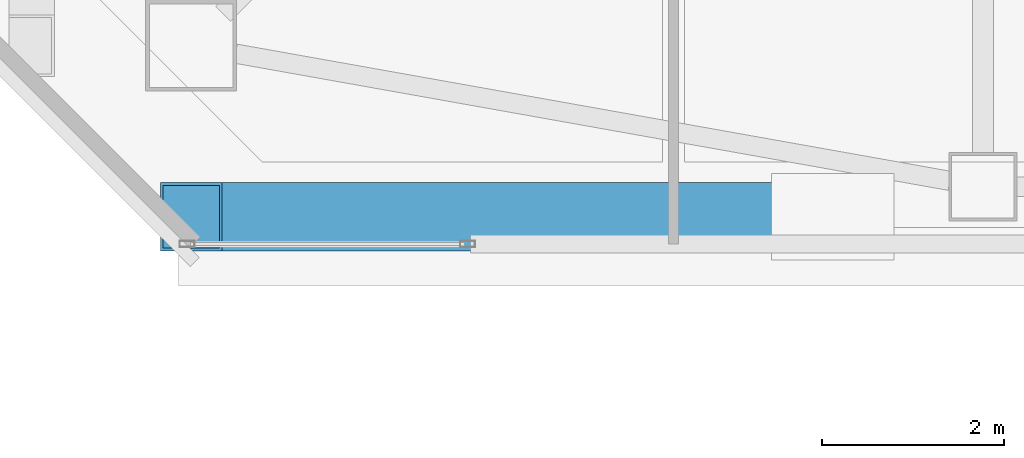
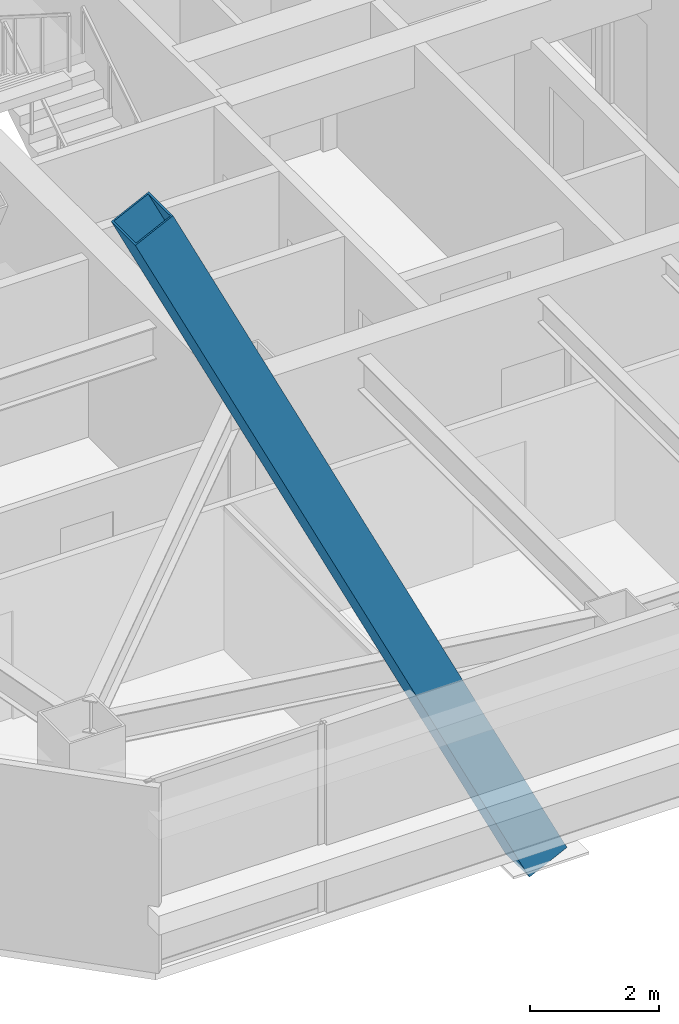
# One storey, part 4 of 56: 1 member.
"""IFC4 building model written with IfcOpenShell, lengths in metres."""

import ifcopenshell
import ifcopenshell.guid

model = None  # the IFC model being written
_history = None  # IfcOwnerHistory: only IFC2X3 demands one
_inside = {}  # id of a spatial element -> (the spatial element, [elements in it])
_under = {}  # id of a project, library or spatial element -> (it, [spatial elements below it])
_declared = {}  # id of a project -> (the project, [libraries it declares])
_typed = {}  # id of a type object -> (the type object, [elements of that type])
_made_of = {}  # id of a material, layer set ... -> (it, [elements and type objects made of it])


def new_model(schema):
    """Start an empty IFC model of exactly this schema.

    Asked for "IFC4X3", IfcOpenShell would pick the latest addendum, in which some entities
    have other attributes; the version numbers below select the first issue.
    IFC2X3 requires an IfcOwnerHistory on every rooted entity: one is made here for all.
    """
    global model, _history
    if schema == "IFC4X3":
        model = ifcopenshell.file(schema_version=(4, 3, 0, 0))
    else:
        model = ifcopenshell.file(schema=schema)
    _inside.clear()
    _under.clear()
    _declared.clear()
    _typed.clear()
    _made_of.clear()
    _history = None
    if model.schema == "IFC2X3":
        org = make("IfcOrganization", Name="unknown")
        user = make(
            "IfcPersonAndOrganization",
            ThePerson=make("IfcPerson", FamilyName="unknown"),
            TheOrganization=org,
        )
        app = make(
            "IfcApplication",
            ApplicationDeveloper=org,
            Version="unknown",
            ApplicationFullName="unknown",
            ApplicationIdentifier="unknown",
        )
        _history = make(
            "IfcOwnerHistory",
            OwningUser=user,
            OwningApplication=app,
            ChangeAction="ADDED",
            CreationDate=0,
        )
    return model


def make(cls, **values):
    """One entity of the class cls with the attributes given. An attribute that is None is left unset."""
    return model.create_entity(
        cls, **{name: value for name, value in values.items() if value is not None}
    )


def rooted(cls, **values):
    """An entity with a GlobalId (a new one), such as an element, a storey or a relation."""
    return make(cls, GlobalId=ifcopenshell.guid.new(), OwnerHistory=_history, **values)


def si_unit(unit_type, name, prefix=None):
    """IfcSIUnit, for example si_unit("LENGTHUNIT", "METRE", prefix="MILLI")."""
    return make("IfcSIUnit", UnitType=unit_type, Prefix=prefix, Name=name)


def assignment(units):
    """IfcUnitAssignment: the units of a project."""
    return None if units is None else make("IfcUnitAssignment", Units=units)


def point(xyz):
    """IfcCartesianPoint."""
    return None if xyz is None else make("IfcCartesianPoint", Coordinates=xyz)


def direction(xyz):
    """IfcDirection."""
    return None if xyz is None else make("IfcDirection", DirectionRatios=xyz)


def frame(location, z_axis=None, x_axis=None):
    """IfcAxis2Placement3D, a coordinate frame: its origin and axes. An axis left out is left unset."""
    return make(
        "IfcAxis2Placement3D",
        Location=point(location),
        Axis=direction(z_axis),
        RefDirection=direction(x_axis),
    )


def frame_2d(location, x_axis=None):
    """IfcAxis2Placement2D, a coordinate frame in the plane: its origin and x axis."""
    return make(
        "IfcAxis2Placement2D", Location=point(location), RefDirection=direction(x_axis)
    )


def origin():
    """The frame at (0, 0, 0) with its axes left unset."""
    return frame((0.0, 0.0, 0.0))


def origin_2d():
    """The frame at (0, 0) in the plane with its x axis left unset."""
    return frame_2d((0.0, 0.0))


def place(relative_to, where):
    """IfcLocalPlacement: puts the frame where relative to a parent placement (None: the world)."""
    return make(
        "IfcLocalPlacement", PlacementRelTo=relative_to, RelativePlacement=where
    )


def context(
    kind, dimensions, precision=None, world=None, true_north=None, identifier=None
):
    """IfcGeometricRepresentationContext, for example the 3D "Model" context."""
    return make(
        "IfcGeometricRepresentationContext",
        ContextIdentifier=identifier,
        ContextType=kind,
        CoordinateSpaceDimension=dimensions,
        Precision=precision,
        WorldCoordinateSystem=world,
        TrueNorth=true_north,
    )


def subcontext(parent, identifier, kind, view, scale=None):
    """IfcGeometricRepresentationSubContext, for example "Body" below "Model"."""
    return make(
        "IfcGeometricRepresentationSubContext",
        ContextIdentifier=identifier,
        ContextType=kind,
        ParentContext=parent,
        TargetScale=scale,
        TargetView=view,
    )


def project(units=None, contexts=None):
    """IfcProject with its units and contexts."""
    return rooted(
        "IfcProject",
        Name="project",
        RepresentationContexts=contexts,
        UnitsInContext=assignment(units),
    )


def spatial(cls, under=None, at=None, **own):
    """A site, building, storey or space (cls), placed at a placement, below another one or the project."""
    s = rooted(cls, ObjectPlacement=at, **own)
    if under is not None:
        _under.setdefault(under.id(), (under, []))[1].append(s)
    return s


def profile(cls, at=None, kind="AREA", **sizes):
    """A parametric profile (cls). Its sizes go by their IFC names, for example OverallWidth=200.0."""
    return make(cls, ProfileType=kind, Position=at, **sizes)


def hollow_rectangle(**sizes):
    """IfcRectangleHollowProfileDef."""
    return profile("IfcRectangleHollowProfileDef", **sizes)


def extrude(swept, where, along, depth):
    """IfcExtrudedAreaSolid: the profile swept, set in the frame where, extruded along a direction by depth."""
    return make(
        "IfcExtrudedAreaSolid",
        SweptArea=swept,
        Position=where,
        ExtrudedDirection=direction(along),
        Depth=depth,
    )


def shape(context_of_items, identifier, shape_type, items):
    """IfcShapeRepresentation: the items that make up one representation, for example the "Body"."""
    return make(
        "IfcShapeRepresentation",
        ContextOfItems=context_of_items,
        RepresentationIdentifier=identifier,
        RepresentationType=shape_type,
        Items=items,
    )


def material(Name=None, Category=None):
    """IfcMaterial."""
    return make("IfcMaterial", Name=Name, Category=Category)


def material_profile(
    of_material, cross_section, Name=None, Category=None, Priority=None
):
    """IfcMaterialProfile: a cross section and its material."""
    return make(
        "IfcMaterialProfile",
        Name=Name,
        Material=of_material,
        Profile=cross_section,
        Priority=Priority,
        Category=Category,
    )


def profile_set(profiles, Name=None, composite=None):
    """IfcMaterialProfileSet."""
    return make(
        "IfcMaterialProfileSet",
        Name=Name,
        MaterialProfiles=profiles,
        CompositeProfile=composite,
    )


def made_of(thing, what):
    """Note that an element or type object is made of a material, layer set ...; save() writes the relation."""
    if what is not None:
        _made_of.setdefault(what.id(), (what, []))[1].append(thing)
    return thing


def type_object(cls, material=None, **own):
    """A type object (cls), such as IfcWallType, which elements share."""
    return made_of(rooted(cls, **own), material)


def element(
    cls,
    number,
    at=None,
    inside=None,
    cuts=None,
    type_object=None,
    material=None,
    context=None,
    identifier="Body",
    shape_type=None,
    held_by="IfcProductDefinitionShape",
    body=None,
    shapes=None,
    **own,
):
    """One element of the class cls, such as IfcWall. Its Tag is "e" and its number.

    at: its placement. inside: the storey or other place that contains it. cuts: it is an
    opening in that element (IfcRelVoidsElement). A single representation is given by context,
    identifier, shape_type and body (its items); several are given by shapes. held_by: the class
    of the entity that holds the representations. save() writes the other relations.
    """
    e = rooted(cls, Tag="e%d" % number, ObjectPlacement=at, **own)
    if body is not None:
        shapes = [shape(context, identifier, shape_type, body)]
    if shapes is not None:
        e.Representation = make(held_by, Representations=shapes)
    if inside is not None:
        _inside.setdefault(inside.id(), (inside, []))[1].append(e)
    if cuts is not None:
        rooted(
            "IfcRelVoidsElement", RelatingBuildingElement=cuts, RelatedOpeningElement=e
        )
    if type_object is not None:
        _typed.setdefault(type_object.id(), (type_object, []))[1].append(e)
    return made_of(e, material)


def aggregate(whole, parts):
    """IfcRelAggregates: a whole, such as a stair, and the parts it consists of."""
    return rooted("IfcRelAggregates", RelatingObject=whole, RelatedObjects=parts)


def save(model, path):
    """Write the relations noted so far, then the file.

    IfcRelAggregates (storeys below a building ...), IfcRelContainedInSpatialStructure (elements
    in a storey), IfcRelDefinesByType, IfcRelAssociatesMaterial and IfcRelDeclares: one each for
    every whole, place, type object, material and project.
    """
    for whole, parts in _under.values():
        aggregate(whole, parts)
    for where, things in _inside.values():
        rooted(
            "IfcRelContainedInSpatialStructure",
            RelatedElements=things,
            RelatingStructure=where,
        )
    for kind, things in _typed.values():
        rooted("IfcRelDefinesByType", RelatedObjects=things, RelatingType=kind)
    for what, things in _made_of.values():
        rooted("IfcRelAssociatesMaterial", RelatedObjects=things, RelatingMaterial=what)
    for by, libraries in _declared.values():
        rooted("IfcRelDeclares", RelatingContext=by, RelatedDefinitions=libraries)
    model.write(path)


model = new_model("IFC4")

# Units and contexts
model_context = context("Model", 3, precision=1e-05, world=origin(), true_north=direction((0.0, 1.0)))
body_context = subcontext(model_context, "Body", "Model", "MODEL_VIEW")
ifc_project = project(units=[si_unit("LENGTHUNIT", "METRE"), si_unit("AREAUNIT", "SQUARE_METRE"), si_unit("VOLUMEUNIT", "CUBIC_METRE"), si_unit("PLANEANGLEUNIT", "RADIAN"), si_unit("MASSUNIT", "GRAM", prefix="KILO")], contexts=[model_context])

# Site, building, storey
site_placement = place(None, origin())
site = spatial("IfcSite", under=ifc_project, at=site_placement, CompositionType="ELEMENT")
building_placement = place(site_placement, origin())
building = spatial("IfcBuilding", under=site, at=building_placement, Name="Tashvorn Skyway Center", CompositionType="ELEMENT")
storey_placement = place(building_placement, frame((0.0, 0.0, 218.39990234375)))
storey = spatial("IfcBuildingStorey", under=building, at=storey_placement, Name="L59", CompositionType="ELEMENT", Elevation=218.39990234375)

# Member
ifc_material = material(Name="Steel ASTM A572 Grade 50", Category="steel")
ifc_material_profile = material_profile(ifc_material, hollow_rectangle(XDim=0.75, YDim=0.75, WallThickness=0.031982421875, at=origin_2d()), Name="BOX750x750x32")
ifc_profile_set = profile_set([ifc_material_profile], Name="Steel ASTM A572 Grade 50")
member_type = type_object("IfcMemberType", Name="MEM-MB-750", PredefinedType="BRACE", material=ifc_profile_set)
member_placement = place(storey_placement, frame((34.949951171875, 16.02001953125, -0.449951171875), z_axis=(-0.439219679919, 0.0, 0.898379692987), x_axis=(0.0, -1.0, 0.0)))
element("IfcMember", 1, at=member_placement, inside=storey, type_object=member_type, Name="Tower 1 Zone 5 S Chevron Mega-Brace L2", PredefinedType="BRACE", context=body_context, shape_type="SweptSolid", body=[
    extrude(hollow_rectangle(XDim=0.75, YDim=0.75, WallThickness=0.031982421875, at=origin_2d()), origin(), (0.0, 0.0, 1.0), 16.05126953125),
])

save(model, "model.ifc")
